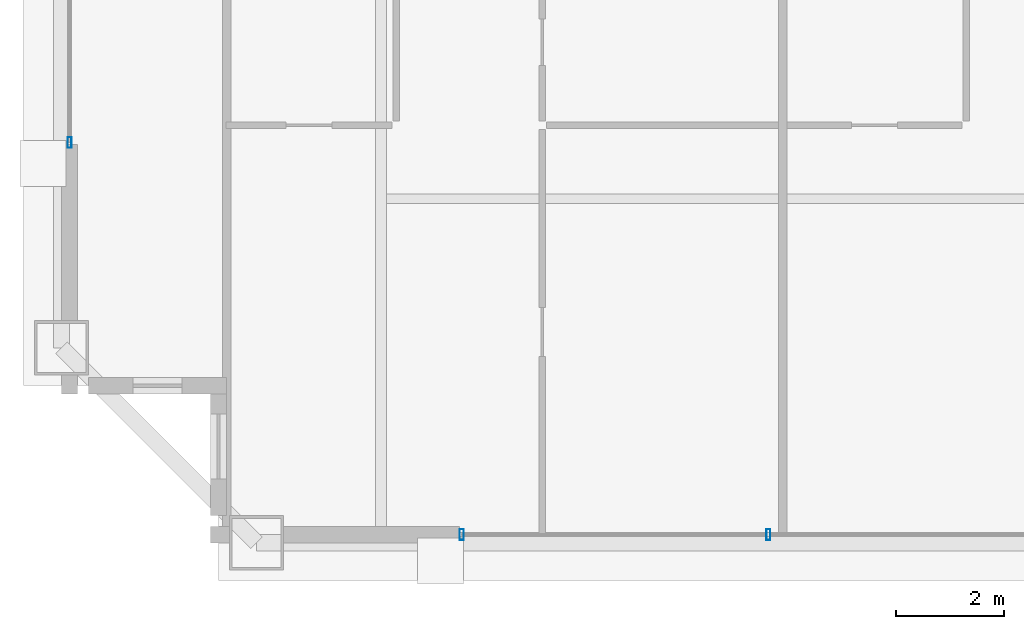
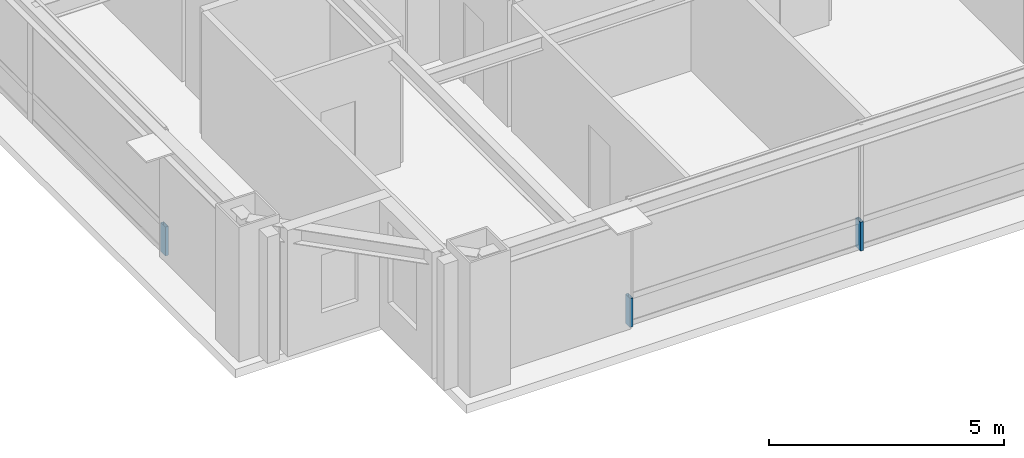
# One storey, part 21 of 35: 3 members, 2 elements without a shape of their own.
"""IFC4 building model written with IfcOpenShell, lengths in metres."""

from ifc_helpers import new_model, si_unit, direction, frame, origin, origin_2d, place, context, subcontext, project, spatial, hollow_rectangle, extrude, source, transform, mapped, material, layer, layer_set, material_profile, profile_set, type_object, element, aggregate, save


model = new_model("IFC4")

# Units and contexts
model_context = context("Model", 3, precision=1e-05, world=origin(), true_north=direction((0.0, 1.0)))
body_context = subcontext(model_context, "Body", "Model", "MODEL_VIEW")
ifc_project = project(units=[si_unit("LENGTHUNIT", "METRE"), si_unit("AREAUNIT", "SQUARE_METRE"), si_unit("VOLUMEUNIT", "CUBIC_METRE"), si_unit("PLANEANGLEUNIT", "RADIAN"), si_unit("MASSUNIT", "GRAM", prefix="KILO"), si_unit("THERMODYNAMICTEMPERATUREUNIT", "KELVIN"), si_unit("POWERUNIT", "WATT")], contexts=[model_context])

# Site, building, storey
site_placement = place(None, origin())
site = spatial("IfcSite", under=ifc_project, at=site_placement, CompositionType="ELEMENT")
building_placement = place(site_placement, origin())
building = spatial("IfcBuilding", under=site, at=building_placement, Name="Yuzanri Waterfront Tower", CompositionType="ELEMENT")
storey_placement = place(building_placement, frame((0.0, 0.0, 311.199951171875)))
storey = spatial("IfcBuildingStorey", under=building, at=storey_placement, Name="L83", CompositionType="ELEMENT", Elevation=311.199951171875)

# Curtain wall, members
ifc_material_1 = material(Name="Anodized Architectural Bronze", Category="metal")
ifc_layer = layer(ifc_material_1, 0.159912109375)
ifc_layer_set = layer_set([ifc_layer], Name="Anodized Architectural Bronze")
curtain_wall_type = type_object("IfcCurtainWallType", Name="Anodized Bronze High-Rise Penthouse High-Wind Unitized Curtain Wall 6900", PredefinedType="NOTDEFINED", material=ifc_layer_set)
curtain_wall_1_placement = place(storey_placement, origin())
curtain_wall_1 = element("IfcCurtainWall", 1, at=curtain_wall_1_placement, inside=storey, type_object=curtain_wall_type, Name="L83 Curtain Wall CW-L83-SL", PredefinedType="NOTDEFINED")
ifc_material_2 = material(Name="Anodized Architectural Bronze", Category="metal")
ifc_material_profile = material_profile(ifc_material_2, hollow_rectangle(XDim=0.074951171875, YDim=0.199951171875, WallThickness=0.00390625, at=origin_2d()), Name="CWM 75x200")
ifc_profile_set = profile_set([ifc_material_profile], Name="Anodized Architectural Bronze")
member_type = type_object("IfcMemberType", Name="Anodized Bronze Primary Curtain-Wall Mullion 75x200", PredefinedType="MULLION", material=ifc_profile_set)
shared_shape = source(origin(), body_context, "Body", "SweptSolid", [
    extrude(hollow_rectangle(XDim=0.074951171875, YDim=0.199951171875, WallThickness=0.00390625, at=origin_2d()), origin(), (0.0, 0.0, 1.0), 0.751953125),
])
member_1_placement = place(storey_placement, frame((25.2900390625, 6.85009765625, 0.0), z_axis=(0.0, 0.0, 1.0), x_axis=(1.0, 0.0, 0.0)))
member_1 = element("IfcMember", 2, at=member_1_placement, type_object=member_type, Name="CW-L83-SL Lower Mullion 00", PredefinedType="MULLION", context=body_context, shape_type="MappedRepresentation", body=[
    mapped(shared_shape, transform((0.0, 0.0, 0.0), scale=1.0)),
])
member_2_placement = place(storey_placement, frame((30.949951171875, 6.85009765625, 0.0), z_axis=(0.0, 0.0, 1.0), x_axis=(1.0, 0.0, 0.0)))
member_2 = element("IfcMember", 3, at=member_2_placement, type_object=member_type, Name="CW-L83-SL Lower Mullion 01", PredefinedType="MULLION", context=body_context, shape_type="MappedRepresentation", body=[
    mapped(shared_shape, transform((0.0, 0.0, 0.0), scale=1.0)),
])
aggregate(curtain_wall_1, [member_1, member_2])

# Curtain wall, member
curtain_wall_2_placement = place(storey_placement, origin())
curtain_wall_2 = element("IfcCurtainWall", 4, at=curtain_wall_2_placement, inside=storey, type_object=curtain_wall_type, Name="L83 Curtain Wall CW-L83-WL", PredefinedType="NOTDEFINED")
member_3_placement = place(storey_placement, frame((18.050048828125, 14.090087890625, 0.0), z_axis=(0.0, 0.0, 1.0), x_axis=(1.0, 0.0, 0.0)))
member_3 = element("IfcMember", 5, at=member_3_placement, type_object=member_type, Name="CW-L83-WL Lower Mullion 00", PredefinedType="MULLION", context=body_context, shape_type="MappedRepresentation", body=[
    mapped(shared_shape, transform((0.0, 0.0, 0.0), scale=1.0)),
])
aggregate(curtain_wall_2, [member_3])

save(model, "model.ifc")
